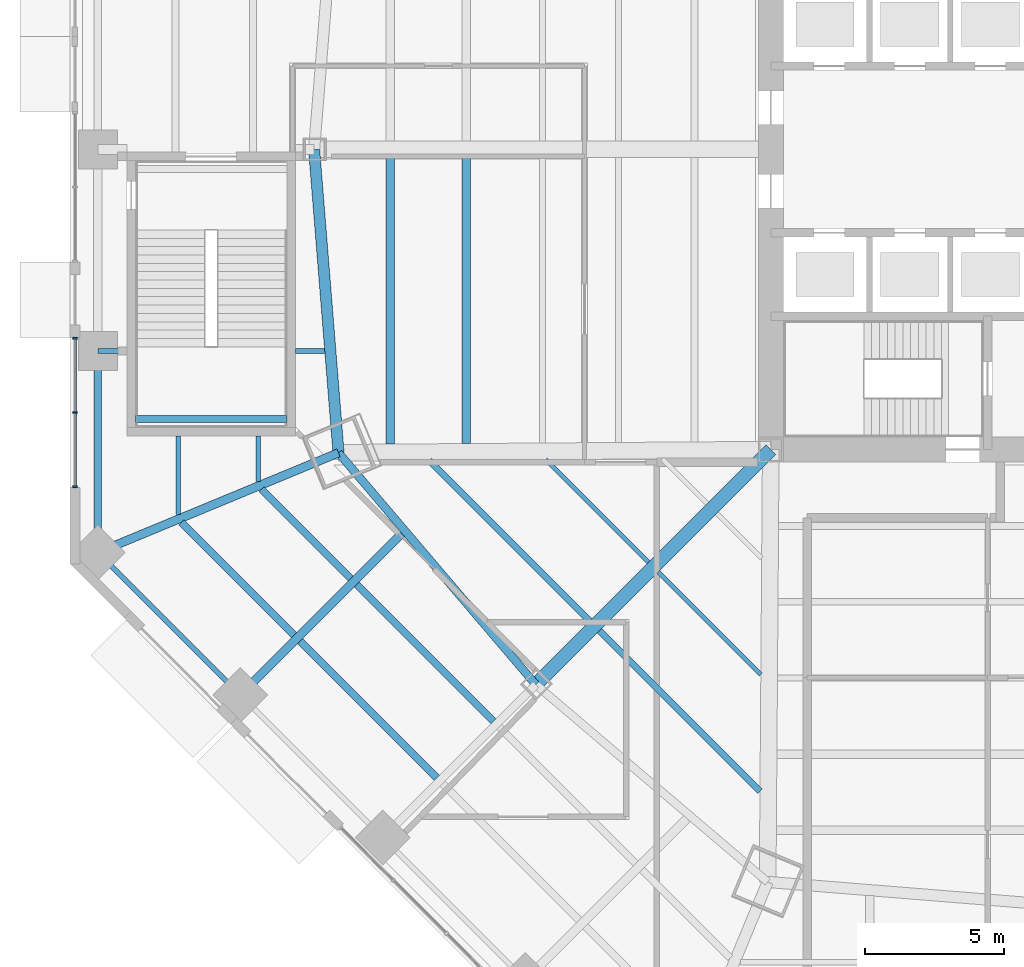
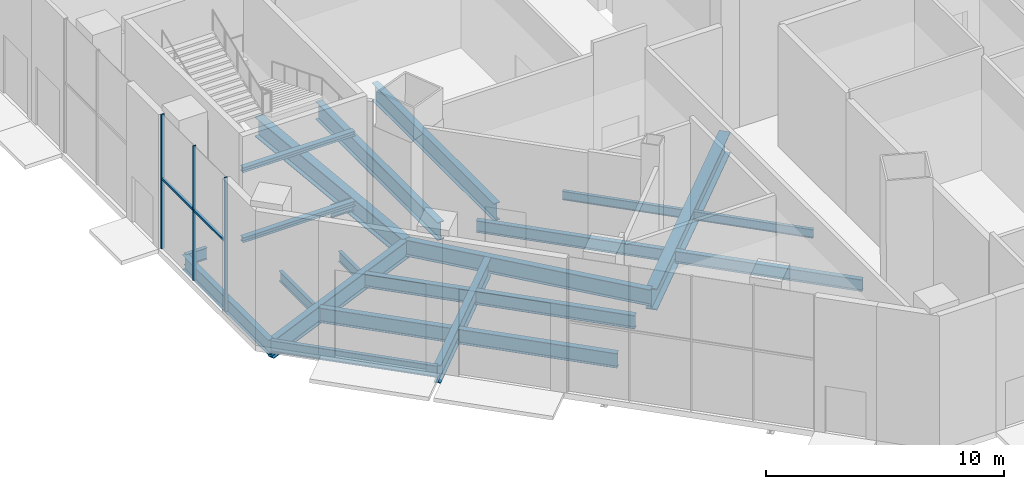
# One storey, part 3 of 35: 22 beams, 6 members, 1 element without a shape of its own.
"""IFC4 building model written with IfcOpenShell, lengths in metres."""

from ifc_helpers import new_model, si_unit, direction, frame, origin, origin_2d, place, context, subcontext, project, spatial, rectangle, i_section, extrude, source, transform, mapped, material, material_profile, profile_set, type_object, type_shapes, element, aggregate, save


model = new_model("IFC4")

# Units and contexts
model_context = context("Model", 3, precision=1e-05, world=origin(), true_north=direction((0.0, 1.0)))
body_context = subcontext(model_context, "Body", "Model", "MODEL_VIEW")
ifc_project = project(units=[si_unit("LENGTHUNIT", "METRE"), si_unit("AREAUNIT", "SQUARE_METRE"), si_unit("VOLUMEUNIT", "CUBIC_METRE"), si_unit("PLANEANGLEUNIT", "RADIAN"), si_unit("MASSUNIT", "GRAM", prefix="KILO")], contexts=[model_context])

# Site, building, storey
site_placement = place(None, origin())
site = spatial("IfcSite", under=ifc_project, at=site_placement, CompositionType="ELEMENT")
building_placement = place(site_placement, origin())
building = spatial("IfcBuilding", under=site, at=building_placement, Name="Mashrafa Tower", CompositionType="ELEMENT")
storey_placement = place(building_placement, origin())
storey = spatial("IfcBuildingStorey", under=building, at=storey_placement, Name="L00", CompositionType="ELEMENT", Elevation=0.0)

# Beams
ifc_material_1 = material(Name="Steel ASTM A572 Gr 50", Category="steel")
ifc_material_profile_1 = material_profile(ifc_material_1, i_section(OverallWidth=0.5, OverallDepth=1.10009765625, WebThickness=0.02490234375, FlangeThickness=0.050048828125, at=origin_2d()), Name="H1100X500X25X50")
ifc_profile_set_1 = profile_set([ifc_material_profile_1], Name="Steel ASTM A572 Gr 50")
beam_type_1 = type_object("IfcBeamType", Name="Beam H1100X500X25X50", PredefinedType="BEAM", material=ifc_profile_set_1)
beam_1_placement = place(storey_placement, frame((-10.800048828125, -10.800048828125, -0.85009765625), z_axis=(-0.707106781187, -0.707106781187, 0.0), x_axis=(0.707106781187, -0.707106781187, 0.0)))
element("IfcBeam", 1, at=beam_1_placement, inside=storey, type_object=beam_type_1, Name="Radial girder L00 198", PredefinedType="BEAM", context=body_context, shape_type="SweptSolid", body=[
    extrude(i_section(OverallWidth=0.5, OverallDepth=1.10009765625, WebThickness=0.02490234375, FlangeThickness=0.050048828125, at=origin_2d()), origin(), (0.0, 0.0, 1.0), 11.94970703125),
])
ifc_material_2 = material(Name="Steel ASTM A992", Category="steel")
ifc_material_profile_2 = material_profile(ifc_material_2, i_section(OverallWidth=0.15234375, OverallDepth=0.449462890625, WebThickness=0.007568359375, FlangeThickness=0.0107421875, FilletRadius=0.01025390625, at=origin_2d()), Name="W18X35")
ifc_profile_set_2 = profile_set([ifc_material_profile_2], Name="Steel ASTM A992")
beam_type_2 = type_object("IfcBeamType", Name="Beam W18X35", PredefinedType="BEAM", material=ifc_profile_set_2)
for number, where, z_axis, x_axis, name in (
    (2, (-15.20166015625, -14.84814453125, -0.52490234375), (-0.707106781187, 0.707106781187, 0.0), (-0.707106781187, -0.707106781187, 0.0), "Floor beam L00 025"),
    (3, (-11.15869140625, -18.89111328125, -0.52490234375), (-0.707106781187, 0.707106781187, 0.0), (-0.707106781187, -0.707106781187, 0.0), "Floor beam L00 039"),
):
    element("IfcBeam", number, at=place(storey_placement, frame(where, z_axis=z_axis, x_axis=x_axis)), inside=storey, type_object=beam_type_2, Name=name, PredefinedType="BEAM", context=body_context, shape_type="SweptSolid", body=[
        extrude(i_section(OverallWidth=0.15234375, OverallDepth=0.449462890625, WebThickness=0.007568359375, FlangeThickness=0.0107421875, FilletRadius=0.01025390625, at=origin_2d()), origin(), (0.0, 0.0, 1.0), 5.2177734375),
    ])
ifc_material_3 = material(Name="Steel ASTM A992", Category="steel")
ifc_material_profile_3 = material_profile(ifc_material_3, i_section(OverallWidth=0.1650390625, OverallDepth=0.52587890625, WebThickness=0.0087890625, FlangeThickness=0.011474609375, FilletRadius=0.0126953125, at=origin_2d()), Name="W21X44")
ifc_profile_set_3 = profile_set([ifc_material_profile_3], Name="Steel ASTM A992")
beam_type_3 = type_object("IfcBeamType", Name="Beam W21X44", PredefinedType="BEAM", material=ifc_profile_set_3)
beam_2_placement = place(storey_placement, frame((-32.114990234375, -13.13623046875, -0.56298828125), z_axis=(0.0, 1.0, 0.0), x_axis=(-1.0, 0.0, 0.0)))
element("IfcBeam", 4, at=beam_2_placement, inside=storey, type_object=beam_type_3, Name="Floor beam L00 002", PredefinedType="BEAM", context=body_context, shape_type="SweptSolid", body=[
    extrude(i_section(OverallWidth=0.1650390625, OverallDepth=0.52587890625, WebThickness=0.0087890625, FlangeThickness=0.011474609375, FilletRadius=0.0126953125, at=origin_2d()), origin(), (0.0, 0.0, 1.0), 2.836181640625),
])
beam_3_placement = place(storey_placement, frame((-29.22998046875, -11.941162109375, -0.56298828125), z_axis=(0.0, 1.0, 0.0), x_axis=(-1.0, 0.0, 0.0)))
element("IfcBeam", 5, at=beam_3_placement, inside=storey, type_object=beam_type_3, Name="Floor beam L00 006", PredefinedType="BEAM", context=body_context, shape_type="SweptSolid", body=[
    extrude(i_section(OverallWidth=0.1650390625, OverallDepth=0.52587890625, WebThickness=0.0087890625, FlangeThickness=0.011474609375, FilletRadius=0.0126953125, at=origin_2d()), origin(), (0.0, 0.0, 1.0), 1.64111328125),
])
ifc_material_4 = material(Name="Steel ASTM A992", Category="steel")
ifc_material_profile_4 = material_profile(ifc_material_4, i_section(OverallWidth=0.177978515625, OverallDepth=0.599365234375, WebThickness=0.010009765625, FlangeThickness=0.012939453125, FilletRadius=0.012939453125, at=origin_2d()), Name="W24X55")
ifc_profile_set_4 = profile_set([ifc_material_profile_4], Name="Steel ASTM A992")
beam_type_4 = type_object("IfcBeamType", Name="Beam W24X55", PredefinedType="BEAM", material=ifc_profile_set_4)
beam_4_placement = place(storey_placement, frame((-35.0, -14.49755859375, -0.599609375), z_axis=(0.707106781187, -0.707106781187, 0.0), x_axis=(0.707106781187, 0.707106781187, 0.0)))
element("IfcBeam", 6, at=beam_4_placement, inside=storey, type_object=beam_type_4, Name="Podium edge beam L00 108", PredefinedType="BEAM", context=body_context, shape_type="SweptSolid", body=[
    extrude(i_section(OverallWidth=0.177978515625, OverallDepth=0.599365234375, WebThickness=0.010009765625, FlangeThickness=0.012939453125, FilletRadius=0.012939453125, at=origin_2d()), origin(), (0.0, 0.0, 1.0), 7.24853515625),
])
beam_5_placement = place(storey_placement, frame((-26.841064453125, -7.248779296875, -0.599609375), z_axis=(-1.0, 0.0, 0.0), x_axis=(0.0, -1.0, 0.0)))
element("IfcBeam", 7, at=beam_5_placement, inside=storey, type_object=beam_type_4, Name="Podium radial beam L00 143", PredefinedType="BEAM", context=body_context, shape_type="SweptSolid", body=[
    extrude(i_section(OverallWidth=0.177978515625, OverallDepth=0.599365234375, WebThickness=0.010009765625, FlangeThickness=0.012939453125, FilletRadius=0.012939453125, at=origin_2d()), origin(), (0.0, 0.0, 1.0), 1.058837890625),
])
ifc_material_5 = material(Name="Steel ASTM A992", Category="steel")
ifc_material_profile_5 = material_profile(ifc_material_5, i_section(OverallWidth=0.228271484375, OverallDepth=0.607177734375, WebThickness=0.01123046875, FlangeThickness=0.017333984375, FilletRadius=0.0126953125, at=origin_2d()), Name="W24X76")
ifc_profile_set_5 = profile_set([ifc_material_profile_5], Name="Steel ASTM A992")
beam_type_5 = type_object("IfcBeamType", Name="Beam W24X76", PredefinedType="BEAM", material=ifc_profile_set_5)
for number, where, z_axis, x_axis, name in (
    (8, (-17.314208984375, -16.96044921875, -0.603515625), (-0.707106781187, 0.707106781187, 0.0), (-0.707106781187, -0.707106781187, 0.0), "Floor beam L00 021"),
    (9, (-11.18896484375, -23.085693359375, -0.603515625), (-0.707106781187, 0.707106781187, 0.0), (-0.707106781187, -0.707106781187, 0.0), "Floor beam L00 037"),
):
    element("IfcBeam", number, at=place(storey_placement, frame(where, z_axis=z_axis, x_axis=x_axis)), inside=storey, type_object=beam_type_5, Name=name, PredefinedType="BEAM", context=body_context, shape_type="SweptSolid", body=[
        extrude(i_section(OverallWidth=0.228271484375, OverallDepth=0.607177734375, WebThickness=0.01123046875, FlangeThickness=0.017333984375, FilletRadius=0.0126953125, at=origin_2d()), origin(), (0.0, 0.0, 1.0), 8.162109375),
    ])
ifc_material_6 = material(Name="Steel ASTM A992", Category="steel")
ifc_material_profile_6 = material_profile(ifc_material_6, i_section(OverallWidth=0.256591796875, OverallDepth=0.693359375, WebThickness=0.014404296875, FlangeThickness=0.023681640625, FilletRadius=0.01513671875, at=origin_2d()), Name="W27X114")
ifc_profile_set_6 = profile_set([ifc_material_profile_6], Name="Steel ASTM A992")
beam_type_6 = type_object("IfcBeamType", Name="Beam W27X114", PredefinedType="BEAM", material=ifc_profile_set_6)
beam_6_placement = place(storey_placement, frame((-20.77197265625, -20.5654296875, -0.646728515625), z_axis=(-0.707124347529, 0.707089214407, 0.0), x_axis=(-0.707089214407, -0.707124347529, 0.0)))
element("IfcBeam", 10, at=beam_6_placement, inside=storey, type_object=beam_type_6, Name="Floor beam L00 016 part 1", PredefinedType="BEAM", context=body_context, shape_type="SweptSolid", body=[
    extrude(i_section(OverallWidth=0.256591796875, OverallDepth=0.693359375, WebThickness=0.014404296875, FlangeThickness=0.023681640625, FilletRadius=0.01513671875, at=origin_2d()), origin(), (0.0, 0.0, 1.0), 6.948974609375),
])
beam_7_placement = place(storey_placement, frame((-25.903076171875, -15.434326171875, -0.646728515625), z_axis=(-0.707106781187, 0.707106781187, 0.0), x_axis=(-0.707106781187, -0.707106781187, 0.0)))
element("IfcBeam", 11, at=beam_7_placement, inside=storey, type_object=beam_type_6, Name="Floor beam L00 016 part 2", PredefinedType="BEAM", context=body_context, shape_type="SweptSolid", body=[
    extrude(i_section(OverallWidth=0.256591796875, OverallDepth=0.693359375, WebThickness=0.014404296875, FlangeThickness=0.023681640625, FilletRadius=0.01513671875, at=origin_2d()), origin(), (0.0, 0.0, 1.0), 4.53857421875),
])
ifc_material_7 = material(Name="Steel ASTM A992", Category="steel")
ifc_material_profile_7 = material_profile(ifc_material_7, i_section(OverallWidth=0.2666015625, OverallDepth=0.75439453125, WebThickness=0.01318359375, FlangeThickness=0.01708984375, FilletRadius=0.0166015625, at=origin_2d()), Name="W30X99")
ifc_profile_set_7 = profile_set([ifc_material_profile_7], Name="Steel ASTM A992")
beam_type_7 = type_object("IfcBeamType", Name="Beam W30X99", PredefinedType="BEAM", material=ifc_profile_set_7)
beam_8_placement = place(storey_placement, frame((-22.81201171875, -22.60546875, -0.67724609375), z_axis=(-0.707106781187, 0.707106781187, 0.0), x_axis=(-0.707106781187, -0.707106781187, 0.0)))
element("IfcBeam", 12, at=beam_8_placement, inside=storey, type_object=beam_type_7, Name="Floor beam L00 012 part 1", PredefinedType="BEAM", context=body_context, shape_type="SweptSolid", body=[
    extrude(i_section(OverallWidth=0.2666015625, OverallDepth=0.75439453125, WebThickness=0.01318359375, FlangeThickness=0.01708984375, FilletRadius=0.0166015625, at=origin_2d()), origin(), (0.0, 0.0, 1.0), 6.94873046875),
])
beam_9_placement = place(storey_placement, frame((-27.943115234375, -17.474365234375, -0.67724609375), z_axis=(-0.707106781187, 0.707106781187, 0.0), x_axis=(-0.707106781187, -0.707106781187, 0.0)))
element("IfcBeam", 13, at=beam_9_placement, inside=storey, type_object=beam_type_7, Name="Floor beam L00 012 part 2", PredefinedType="BEAM", context=body_context, shape_type="SweptSolid", body=[
    extrude(i_section(OverallWidth=0.2666015625, OverallDepth=0.75439453125, WebThickness=0.01318359375, FlangeThickness=0.01708984375, FilletRadius=0.0166015625, at=origin_2d()), origin(), (0.0, 0.0, 1.0), 5.7333984375),
])
beam_10_placement = place(storey_placement, frame((-35.0, -7.248779296875, -0.67724609375), z_axis=(0.0, -1.0, 0.0), x_axis=(1.0, 0.0, 0.0)))
element("IfcBeam", 14, at=beam_10_placement, inside=storey, type_object=beam_type_7, Name="Podium edge beam L00 109", PredefinedType="BEAM", context=body_context, shape_type="SweptSolid", body=[
    extrude(i_section(OverallWidth=0.2666015625, OverallDepth=0.75439453125, WebThickness=0.01318359375, FlangeThickness=0.01708984375, FilletRadius=0.0166015625, at=origin_2d()), origin(), (0.0, 0.0, 1.0), 7.248779296875),
])
ifc_material_8 = material(Name="Steel ASTM A992", Category="steel")
ifc_material_profile_8 = material_profile(ifc_material_8, i_section(OverallWidth=0.2919921875, OverallDepth=0.8408203125, WebThickness=0.0146484375, FlangeThickness=0.021728515625, FilletRadius=0.017333984375, at=origin_2d()), Name="W33X130")
ifc_profile_set_8 = profile_set([ifc_material_profile_8], Name="Steel ASTM A992")
beam_type_8 = type_object("IfcBeamType", Name="Beam W33X130", PredefinedType="BEAM", material=ifc_profile_set_8)
beam_11_placement = place(storey_placement, frame((-26.344970703125, -10.91259765625, -0.720458984375), z_axis=(0.648105971434, -0.76155016236, 0.0), x_axis=(0.76155016236, 0.648105971434, 0.0)))
element("IfcBeam", 15, at=beam_11_placement, inside=storey, type_object=beam_type_8, Name="Podium ring girder L00 182", PredefinedType="BEAM", context=body_context, shape_type="SweptSolid", body=[
    extrude(i_section(OverallWidth=0.2919921875, OverallDepth=0.8408203125, WebThickness=0.0146484375, FlangeThickness=0.021728515625, FilletRadius=0.017333984375, at=origin_2d()), origin(), (0.0, 0.0, 1.0), 10.947509765625),
])
ifc_material_9 = material(Name="Steel ASTM A992", Category="steel")
ifc_material_profile_9 = material_profile(ifc_material_9, i_section(OverallWidth=0.3046875, OverallDepth=0.911865234375, WebThickness=0.015869140625, FlangeThickness=0.02392578125, FilletRadius=0.01904296875, at=origin_2d()), Name="W36X150")
ifc_profile_set_9 = profile_set([ifc_material_profile_9], Name="Steel ASTM A992")
beam_type_9 = type_object("IfcBeamType", Name="Beam W36X150", PredefinedType="BEAM", material=ifc_profile_set_9)
beam_12_placement = place(storey_placement, frame((-21.748779296875, -10.5791015625, -0.755859375), z_axis=(0.0, 1.0, 0.0), x_axis=(-1.0, 0.0, 0.0)))
element("IfcBeam", 16, at=beam_12_placement, inside=storey, type_object=beam_type_9, Name="Floor beam L00 014", PredefinedType="BEAM", context=body_context, shape_type="SweptSolid", body=[
    extrude(i_section(OverallWidth=0.3046875, OverallDepth=0.911865234375, WebThickness=0.015869140625, FlangeThickness=0.02392578125, FilletRadius=0.01904296875, at=origin_2d()), origin(), (0.0, 0.0, 1.0), 10.279052734375),
])
ifc_material_10 = material(Name="Steel ASTM A992", Category="steel")
ifc_material_profile_10 = material_profile(ifc_material_10, i_section(OverallWidth=0.307373046875, OverallDepth=0.927001953125, WebThickness=0.01953125, FlangeThickness=0.031982421875, FilletRadius=0.01904296875, at=origin_2d()), Name="W36X194")
ifc_profile_set_10 = profile_set([ifc_material_profile_10], Name="Steel ASTM A992")
beam_type_10 = type_object("IfcBeamType", Name="Beam W36X194", PredefinedType="BEAM", material=ifc_profile_set_10)
beam_13_placement = place(storey_placement, frame((-24.486083984375, -10.59912109375, -0.763671875), z_axis=(0.0, 1.0, 0.0), x_axis=(-1.0, 0.0, 0.0)))
element("IfcBeam", 17, at=beam_13_placement, inside=storey, type_object=beam_type_10, Name="Floor beam L00 009", PredefinedType="BEAM", context=body_context, shape_type="SweptSolid", body=[
    extrude(i_section(OverallWidth=0.307373046875, OverallDepth=0.927001953125, WebThickness=0.01953125, FlangeThickness=0.031982421875, FilletRadius=0.01904296875, at=origin_2d()), origin(), (0.0, 0.0, 1.0), 10.299072265625),
])
beam_14_placement = place(storey_placement, frame((-26.344970703125, -10.91259765625, -0.763671875), z_axis=(-0.923882158446, -0.382677092737, 0.0), x_axis=(0.382677092737, -0.923882158446, 0.0)))
element("IfcBeam", 18, at=beam_14_placement, inside=storey, type_object=beam_type_10, Name="Podium radial beam L00 145", PredefinedType="BEAM", context=body_context, shape_type="SweptSolid", body=[
    extrude(i_section(OverallWidth=0.307373046875, OverallDepth=0.927001953125, WebThickness=0.01953125, FlangeThickness=0.031982421875, FilletRadius=0.01904296875, at=origin_2d()), origin(), (0.0, 0.0, 1.0), 9.3681640625),
])
beam_15_placement = place(storey_placement, frame((-24.06640625, -13.815185546875, -0.763671875), z_axis=(-0.707121642771, -0.707091919289, 0.0), x_axis=(0.707091919289, -0.707121642771, 0.0)))
element("IfcBeam", 19, at=beam_15_placement, inside=storey, type_object=beam_type_10, Name="Podium radial beam L00 147", PredefinedType="BEAM", context=body_context, shape_type="SweptSolid", body=[
    extrude(i_section(OverallWidth=0.307373046875, OverallDepth=0.927001953125, WebThickness=0.01953125, FlangeThickness=0.031982421875, FilletRadius=0.01904296875, at=origin_2d()), origin(), (0.0, 0.0, 1.0), 8.213623046875),
])
ifc_material_11 = material(Name="Steel ASTM A992", Category="steel")
ifc_material_profile_11 = material_profile(ifc_material_11, i_section(OverallWidth=0.4013671875, OverallDepth=1.010986328125, WebThickness=0.023681640625, FlangeThickness=0.0419921875, FilletRadius=0.02001953125, at=origin_2d()), Name="W40X297")
ifc_profile_set_11 = profile_set([ifc_material_profile_11], Name="Steel ASTM A992")
beam_type_11 = type_object("IfcBeamType", Name="Beam W40X297", PredefinedType="BEAM", material=ifc_profile_set_11)
beam_16_placement = place(storey_placement, frame((-27.22314453125, 0.0, -0.805419921875), z_axis=(0.080214086477, -0.996777658423, 0.0), x_axis=(0.996777658423, 0.080214086477, 0.0)))
element("IfcBeam", 20, at=beam_16_placement, inside=storey, type_object=beam_type_11, Name="Podium ring girder L00 181", PredefinedType="BEAM", context=body_context, shape_type="SweptSolid", body=[
    extrude(i_section(OverallWidth=0.4013671875, OverallDepth=1.010986328125, WebThickness=0.023681640625, FlangeThickness=0.0419921875, FilletRadius=0.02001953125, at=origin_2d()), origin(), (0.0, 0.0, 1.0), 10.94775390625),
])
ifc_material_12 = material(Name="Steel ASTM A992", Category="steel")
ifc_material_profile_12 = material_profile(ifc_material_12, i_section(OverallWidth=0.25390625, OverallDepth=0.25390625, WebThickness=0.008544921875, FlangeThickness=0.01416015625, FilletRadius=0.010009765625, at=origin_2d()), Name="W10X49")
ifc_profile_set_12 = profile_set([ifc_material_profile_12], Name="Steel ASTM A992")
beam_type_12 = type_object("IfcBeamType", Name="Hoistway beam W10X49", PredefinedType="BEAM", material=ifc_profile_set_12)
for number, where, z_axis, x_axis, name in (
    (21, (-33.64990234375, -9.699951171875, 1.472900390625), (1.0, 0.0, 0.0), (0.0, 1.0, 0.0), "Stair P3 landing beam L00"),
    (22, (-33.64990234375, -9.699951171875, 5.072998046875), (1.0, 0.0, 0.0), (0.0, 1.0, 0.0), "Stair P3 landing beam L00"),
):
    element("IfcBeam", number, at=place(storey_placement, frame(where, z_axis=z_axis, x_axis=x_axis)), inside=storey, type_object=beam_type_12, Name=name, PredefinedType="BEAM", context=body_context, shape_type="SweptSolid", body=[
        extrude(i_section(OverallWidth=0.25390625, OverallDepth=0.25390625, WebThickness=0.008544921875, FlangeThickness=0.01416015625, FilletRadius=0.010009765625, at=origin_2d()), origin(), (0.0, 0.0, 1.0), 5.449951171875),
    ])

# Member
ifc_material_13 = material(Name="Steel ASTM A992", Category="steel")
ifc_material_profile_13 = material_profile(ifc_material_13, i_section(OverallWidth=0.177978515625, OverallDepth=0.599365234375, WebThickness=0.010009765625, FlangeThickness=0.012939453125, FilletRadius=0.012939453125, at=origin_2d()), Name="W24X55")
ifc_profile_set_13 = profile_set([ifc_material_profile_13], Name="Steel ASTM A992")
member_type_1 = type_object("IfcMemberType", Name="Tie strut W24X55", PredefinedType="STRUT", material=ifc_profile_set_13)
shared_shape_1 = source(origin(), body_context, "Body", "SweptSolid", [
    extrude(i_section(OverallWidth=0.177978515625, OverallDepth=0.599365234375, WebThickness=0.010009765625, FlangeThickness=0.012939453125, FilletRadius=0.012939453125, at=origin_2d()), origin(), (0.0, 0.0, 1.0), 1.050048828125),
])
type_shapes(member_type_1, [shared_shape_1])
member_1_placement = place(storey_placement, frame((-33.949951171875, -7.248779296875, -0.599609375), z_axis=(-1.0, 0.0, 0.0), x_axis=(0.0, -1.0, 0.0)))
element("IfcMember", 23, at=member_1_placement, inside=storey, type_object=member_type_1, Name="Tie strut L00 140", PredefinedType="STRUT", context=body_context, shape_type="MappedRepresentation", body=[
    mapped(shared_shape_1, transform((0.0, 0.0, 0.0))),
])

# Curtain wall, members
ifc_material_14 = material(Name="Unitised aluminium curtain wall", Category="aluminium")
curtain_wall_type = type_object("IfcCurtainWallType", Name="Podium storefront CW-P 150 deep", PredefinedType="NOTDEFINED", material=ifc_material_14)
curtain_wall_placement = place(storey_placement, origin())
curtain_wall = element("IfcCurtainWall", 24, at=curtain_wall_placement, inside=storey, type_object=curtain_wall_type, Name="Podium storefront L00 west part 3", PredefinedType="NOTDEFINED")
ifc_material_15 = material(Name="Extruded aluminium mullion", Category="aluminium")
ifc_material_profile_14 = material_profile(ifc_material_15, rectangle(XDim=0.14990234375, YDim=0.06494140625, at=origin_2d()), Name="Mullion 65x150")
ifc_profile_set_14 = profile_set([ifc_material_profile_14], Name="Extruded aluminium mullion")
member_type_2 = type_object("IfcMemberType", Name="Mullion CW-P 65 x 150", PredefinedType="MULLION", material=ifc_profile_set_14)
shared_shape_2 = source(origin(), body_context, "Body", "SweptSolid", [
    extrude(rectangle(XDim=0.14990234375, YDim=0.06494140625, at=origin_2d()), origin(), (0.0, 0.0, 1.0), 6.89990234375),
])
type_shapes(member_type_2, [shared_shape_2])
member_2_placement = place(storey_placement, frame((-35.824951171875, -6.791748046875, 0.0), z_axis=(0.0, 0.0, 1.0), x_axis=(1.0, 0.0, 0.0)))
member_2 = element("IfcMember", 25, at=member_2_placement, type_object=member_type_2, Name="CW-P mullion 1", PredefinedType="MULLION", context=body_context, shape_type="MappedRepresentation", body=[
    mapped(shared_shape_2, transform((0.0, 0.0, 0.0))),
])
member_3_placement = place(storey_placement, frame((-35.824951171875, -9.462890625, 0.0), z_axis=(0.0, 0.0, 1.0), x_axis=(1.0, 0.0, 0.0)))
member_3 = element("IfcMember", 26, at=member_3_placement, type_object=member_type_2, Name="CW-P mullion 2", PredefinedType="MULLION", context=body_context, shape_type="MappedRepresentation", body=[
    mapped(shared_shape_2, transform((0.0, 0.0, 0.0))),
])
member_4_placement = place(storey_placement, frame((-35.824951171875, -12.134033203125, 0.0), z_axis=(0.0, 0.0, 1.0), x_axis=(1.0, 0.0, 0.0)))
member_4 = element("IfcMember", 27, at=member_4_placement, type_object=member_type_2, Name="CW-P mullion 3", PredefinedType="MULLION", context=body_context, shape_type="MappedRepresentation", body=[
    mapped(shared_shape_2, transform((0.0, 0.0, 0.0))),
])
ifc_material_16 = material(Name="Extruded aluminium transom", Category="aluminium")
ifc_material_profile_15 = material_profile(ifc_material_16, rectangle(XDim=0.1201171875, YDim=0.10009765625, at=origin_2d()), Name="Transom 100x120")
ifc_profile_set_15 = profile_set([ifc_material_profile_15], Name="Extruded aluminium transom")
member_type_3 = type_object("IfcMemberType", Name="Transom CW-P 100 x 120", PredefinedType="MULLION", material=ifc_profile_set_15)
shared_shape_3 = source(origin(), body_context, "Body", "SweptSolid", [
    extrude(rectangle(XDim=0.1201171875, YDim=0.10009765625, at=origin_2d()), origin(), (0.0, 0.0, 1.0), 2.606201171875),
])
type_shapes(member_type_3, [shared_shape_3])
member_5_placement = place(storey_placement, frame((-35.824951171875, -6.82421875, 3.60009765625), z_axis=(0.0, -1.0, 0.0), x_axis=(1.0, 0.0, 0.0)))
member_5 = element("IfcMember", 28, at=member_5_placement, type_object=member_type_3, Name="CW-P transom 1", PredefinedType="MULLION", context=body_context, shape_type="MappedRepresentation", body=[
    mapped(shared_shape_3, transform((0.0, 0.0, 0.0))),
])
member_6_placement = place(storey_placement, frame((-35.824951171875, -9.495361328125, 3.60009765625), z_axis=(0.0, -1.0, 0.0), x_axis=(1.0, 0.0, 0.0)))
member_6 = element("IfcMember", 29, at=member_6_placement, type_object=member_type_3, Name="CW-P transom 2", PredefinedType="MULLION", context=body_context, shape_type="MappedRepresentation", body=[
    mapped(shared_shape_3, transform((0.0, 0.0, 0.0))),
])
aggregate(curtain_wall, [member_2, member_3, member_4, member_5, member_6])

save(model, "model.ifc")
